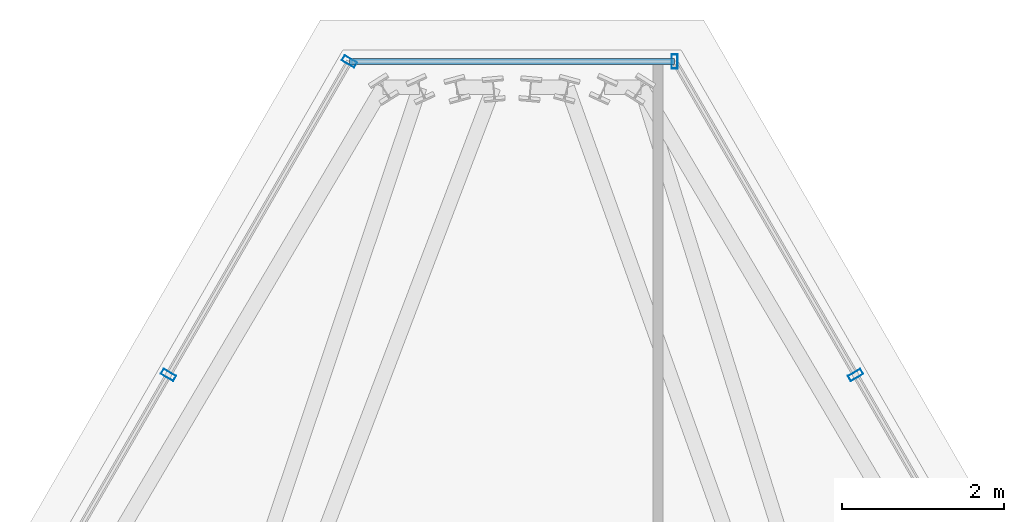
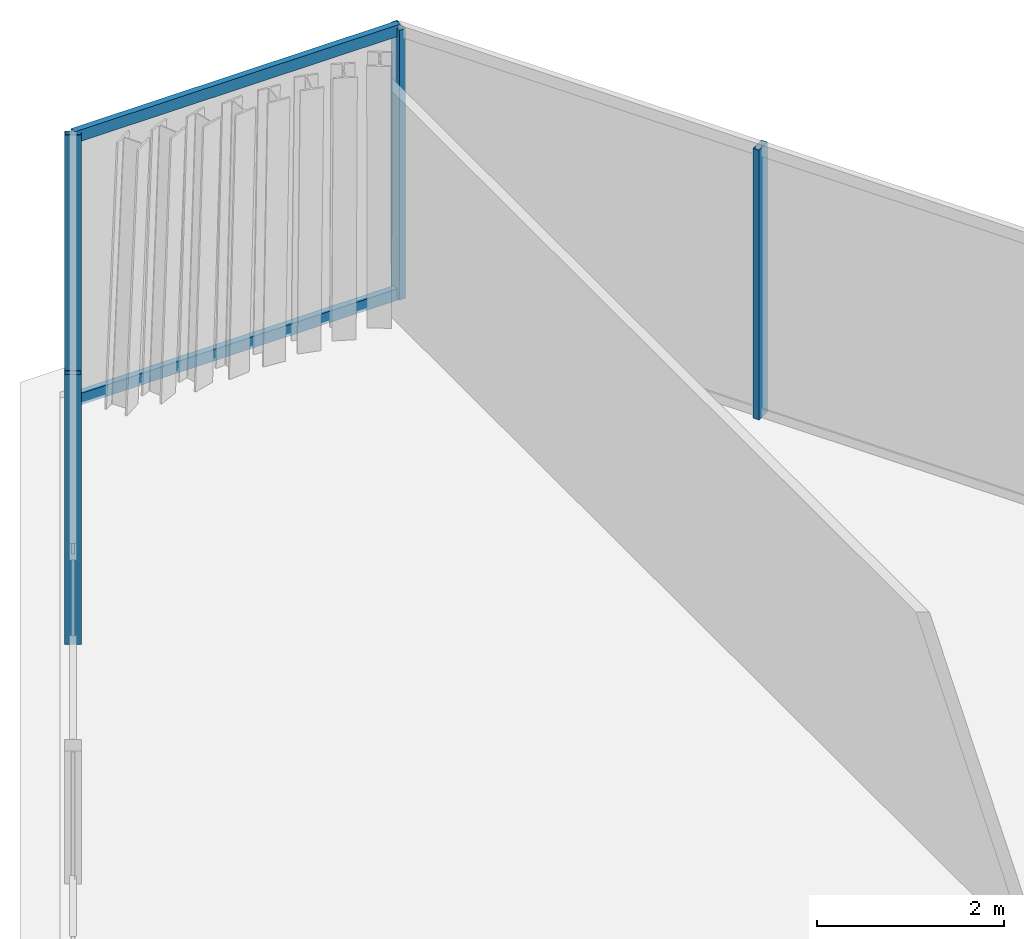
# One storey, part 25 of 32: 6 members, 3 elements without a shape of their own.
"""IFC4 building model written with IfcOpenShell, lengths in metres."""

import ifcopenshell
import ifcopenshell.guid

model = None  # the IFC model being written
_history = None  # IfcOwnerHistory: only IFC2X3 demands one
_inside = {}  # id of a spatial element -> (the spatial element, [elements in it])
_under = {}  # id of a project, library or spatial element -> (it, [spatial elements below it])
_declared = {}  # id of a project -> (the project, [libraries it declares])
_typed = {}  # id of a type object -> (the type object, [elements of that type])
_made_of = {}  # id of a material, layer set ... -> (it, [elements and type objects made of it])


def new_model(schema):
    """Start an empty IFC model of exactly this schema.

    Asked for "IFC4X3", IfcOpenShell would pick the latest addendum, in which some entities
    have other attributes; the version numbers below select the first issue.
    IFC2X3 requires an IfcOwnerHistory on every rooted entity: one is made here for all.
    """
    global model, _history
    if schema == "IFC4X3":
        model = ifcopenshell.file(schema_version=(4, 3, 0, 0))
    else:
        model = ifcopenshell.file(schema=schema)
    _inside.clear()
    _under.clear()
    _declared.clear()
    _typed.clear()
    _made_of.clear()
    _history = None
    if model.schema == "IFC2X3":
        org = make("IfcOrganization", Name="unknown")
        user = make(
            "IfcPersonAndOrganization",
            ThePerson=make("IfcPerson", FamilyName="unknown"),
            TheOrganization=org,
        )
        app = make(
            "IfcApplication",
            ApplicationDeveloper=org,
            Version="unknown",
            ApplicationFullName="unknown",
            ApplicationIdentifier="unknown",
        )
        _history = make(
            "IfcOwnerHistory",
            OwningUser=user,
            OwningApplication=app,
            ChangeAction="ADDED",
            CreationDate=0,
        )
    return model


def make(cls, **values):
    """One entity of the class cls with the attributes given. An attribute that is None is left unset."""
    return model.create_entity(
        cls, **{name: value for name, value in values.items() if value is not None}
    )


def rooted(cls, **values):
    """An entity with a GlobalId (a new one), such as an element, a storey or a relation."""
    return make(cls, GlobalId=ifcopenshell.guid.new(), OwnerHistory=_history, **values)


def si_unit(unit_type, name, prefix=None):
    """IfcSIUnit, for example si_unit("LENGTHUNIT", "METRE", prefix="MILLI")."""
    return make("IfcSIUnit", UnitType=unit_type, Prefix=prefix, Name=name)


def assignment(units):
    """IfcUnitAssignment: the units of a project."""
    return None if units is None else make("IfcUnitAssignment", Units=units)


def point(xyz):
    """IfcCartesianPoint."""
    return None if xyz is None else make("IfcCartesianPoint", Coordinates=xyz)


def direction(xyz):
    """IfcDirection."""
    return None if xyz is None else make("IfcDirection", DirectionRatios=xyz)


def frame(location, z_axis=None, x_axis=None):
    """IfcAxis2Placement3D, a coordinate frame: its origin and axes. An axis left out is left unset."""
    return make(
        "IfcAxis2Placement3D",
        Location=point(location),
        Axis=direction(z_axis),
        RefDirection=direction(x_axis),
    )


def frame_2d(location, x_axis=None):
    """IfcAxis2Placement2D, a coordinate frame in the plane: its origin and x axis."""
    return make(
        "IfcAxis2Placement2D", Location=point(location), RefDirection=direction(x_axis)
    )


def origin():
    """The frame at (0, 0, 0) with its axes left unset."""
    return frame((0.0, 0.0, 0.0))


def origin_2d():
    """The frame at (0, 0) in the plane with its x axis left unset."""
    return frame_2d((0.0, 0.0))


def place(relative_to, where):
    """IfcLocalPlacement: puts the frame where relative to a parent placement (None: the world)."""
    return make(
        "IfcLocalPlacement", PlacementRelTo=relative_to, RelativePlacement=where
    )


def context(
    kind, dimensions, precision=None, world=None, true_north=None, identifier=None
):
    """IfcGeometricRepresentationContext, for example the 3D "Model" context."""
    return make(
        "IfcGeometricRepresentationContext",
        ContextIdentifier=identifier,
        ContextType=kind,
        CoordinateSpaceDimension=dimensions,
        Precision=precision,
        WorldCoordinateSystem=world,
        TrueNorth=true_north,
    )


def subcontext(parent, identifier, kind, view, scale=None):
    """IfcGeometricRepresentationSubContext, for example "Body" below "Model"."""
    return make(
        "IfcGeometricRepresentationSubContext",
        ContextIdentifier=identifier,
        ContextType=kind,
        ParentContext=parent,
        TargetScale=scale,
        TargetView=view,
    )


def project(units=None, contexts=None):
    """IfcProject with its units and contexts."""
    return rooted(
        "IfcProject",
        Name="project",
        RepresentationContexts=contexts,
        UnitsInContext=assignment(units),
    )


def spatial(cls, under=None, at=None, **own):
    """A site, building, storey or space (cls), placed at a placement, below another one or the project."""
    s = rooted(cls, ObjectPlacement=at, **own)
    if under is not None:
        _under.setdefault(under.id(), (under, []))[1].append(s)
    return s


def profile(cls, at=None, kind="AREA", **sizes):
    """A parametric profile (cls). Its sizes go by their IFC names, for example OverallWidth=200.0."""
    return make(cls, ProfileType=kind, Position=at, **sizes)


def hollow_rectangle(**sizes):
    """IfcRectangleHollowProfileDef."""
    return profile("IfcRectangleHollowProfileDef", **sizes)


def extrude(swept, where, along, depth):
    """IfcExtrudedAreaSolid: the profile swept, set in the frame where, extruded along a direction by depth."""
    return make(
        "IfcExtrudedAreaSolid",
        SweptArea=swept,
        Position=where,
        ExtrudedDirection=direction(along),
        Depth=depth,
    )


def shape(context_of_items, identifier, shape_type, items):
    """IfcShapeRepresentation: the items that make up one representation, for example the "Body"."""
    return make(
        "IfcShapeRepresentation",
        ContextOfItems=context_of_items,
        RepresentationIdentifier=identifier,
        RepresentationType=shape_type,
        Items=items,
    )


def material(Name=None, Category=None):
    """IfcMaterial."""
    return make("IfcMaterial", Name=Name, Category=Category)


def layer(
    of_material, thickness, ventilated=None, Name=None, Category=None, Priority=None
):
    """IfcMaterialLayer: one layer of a wall or slab, of a material (None: an air gap)."""
    return make(
        "IfcMaterialLayer",
        Material=of_material,
        LayerThickness=thickness,
        IsVentilated=ventilated,
        Name=Name,
        Category=Category,
        Priority=Priority,
    )


def layer_set(layers, Name=None):
    """IfcMaterialLayerSet."""
    return make("IfcMaterialLayerSet", MaterialLayers=layers, LayerSetName=Name)


def material_profile(
    of_material, cross_section, Name=None, Category=None, Priority=None
):
    """IfcMaterialProfile: a cross section and its material."""
    return make(
        "IfcMaterialProfile",
        Name=Name,
        Material=of_material,
        Profile=cross_section,
        Priority=Priority,
        Category=Category,
    )


def profile_set(profiles, Name=None, composite=None):
    """IfcMaterialProfileSet."""
    return make(
        "IfcMaterialProfileSet",
        Name=Name,
        MaterialProfiles=profiles,
        CompositeProfile=composite,
    )


def made_of(thing, what):
    """Note that an element or type object is made of a material, layer set ...; save() writes the relation."""
    if what is not None:
        _made_of.setdefault(what.id(), (what, []))[1].append(thing)
    return thing


def type_object(cls, material=None, **own):
    """A type object (cls), such as IfcWallType, which elements share."""
    return made_of(rooted(cls, **own), material)


def element(
    cls,
    number,
    at=None,
    inside=None,
    cuts=None,
    type_object=None,
    material=None,
    context=None,
    identifier="Body",
    shape_type=None,
    held_by="IfcProductDefinitionShape",
    body=None,
    shapes=None,
    **own,
):
    """One element of the class cls, such as IfcWall. Its Tag is "e" and its number.

    at: its placement. inside: the storey or other place that contains it. cuts: it is an
    opening in that element (IfcRelVoidsElement). A single representation is given by context,
    identifier, shape_type and body (its items); several are given by shapes. held_by: the class
    of the entity that holds the representations. save() writes the other relations.
    """
    e = rooted(cls, Tag="e%d" % number, ObjectPlacement=at, **own)
    if body is not None:
        shapes = [shape(context, identifier, shape_type, body)]
    if shapes is not None:
        e.Representation = make(held_by, Representations=shapes)
    if inside is not None:
        _inside.setdefault(inside.id(), (inside, []))[1].append(e)
    if cuts is not None:
        rooted(
            "IfcRelVoidsElement", RelatingBuildingElement=cuts, RelatedOpeningElement=e
        )
    if type_object is not None:
        _typed.setdefault(type_object.id(), (type_object, []))[1].append(e)
    return made_of(e, material)


def aggregate(whole, parts):
    """IfcRelAggregates: a whole, such as a stair, and the parts it consists of."""
    return rooted("IfcRelAggregates", RelatingObject=whole, RelatedObjects=parts)


def save(model, path):
    """Write the relations noted so far, then the file.

    IfcRelAggregates (storeys below a building ...), IfcRelContainedInSpatialStructure (elements
    in a storey), IfcRelDefinesByType, IfcRelAssociatesMaterial and IfcRelDeclares: one each for
    every whole, place, type object, material and project.
    """
    for whole, parts in _under.values():
        aggregate(whole, parts)
    for where, things in _inside.values():
        rooted(
            "IfcRelContainedInSpatialStructure",
            RelatedElements=things,
            RelatingStructure=where,
        )
    for kind, things in _typed.values():
        rooted("IfcRelDefinesByType", RelatedObjects=things, RelatingType=kind)
    for what, things in _made_of.values():
        rooted("IfcRelAssociatesMaterial", RelatedObjects=things, RelatingMaterial=what)
    for by, libraries in _declared.values():
        rooted("IfcRelDeclares", RelatingContext=by, RelatedDefinitions=libraries)
    model.write(path)


model = new_model("IFC4")

# Units and contexts
model_context = context("Model", 3, precision=1e-05, world=origin(), true_north=direction((0.0, 1.0)))
body_context = subcontext(model_context, "Body", "Model", "MODEL_VIEW")
ifc_project = project(units=[si_unit("LENGTHUNIT", "METRE"), si_unit("AREAUNIT", "SQUARE_METRE"), si_unit("VOLUMEUNIT", "CUBIC_METRE"), si_unit("PLANEANGLEUNIT", "RADIAN"), si_unit("MASSUNIT", "GRAM", prefix="KILO")], contexts=[model_context])

# Site, building, storey
site_placement = place(None, origin())
site = spatial("IfcSite", under=ifc_project, at=site_placement, CompositionType="ELEMENT")
building_placement = place(site_placement, origin())
building = spatial("IfcBuilding", under=site, at=building_placement, Name="Ndaravel Arena Tower", CompositionType="ELEMENT")
storey_placement = place(building_placement, frame((0.0, 0.0, 294.699951171875)))
storey = spatial("IfcBuildingStorey", under=building, at=storey_placement, Name="L72", CompositionType="ELEMENT", Elevation=294.699951171875)

# Curtain wall, member
ifc_material_1 = material(Name="Aluminium", Category="aluminium")
ifc_layer_1 = layer(ifc_material_1, 0.179931640625)
ifc_layer_set_1 = layer_set([ifc_layer_1], Name="Aluminium")
curtain_wall_type_1 = type_object("IfcCurtainWallType", Name="CW-SYS-03", PredefinedType="NOTDEFINED", material=ifc_layer_set_1)
curtain_wall_1_placement = place(storey_placement, origin())
curtain_wall_1 = element("IfcCurtainWall", 1, at=curtain_wall_1_placement, inside=storey, type_object=curtain_wall_type_1, Name="L72 Faceted Crystal Curtain Wall CW-L72-E03", PredefinedType="NOTDEFINED")
ifc_material_2 = material(Name="Aluminium", Category="aluminium")
ifc_material_profile_1 = material_profile(ifc_material_2, hollow_rectangle(XDim=0.074951171875, YDim=0.179931640625, WallThickness=0.00390625, at=origin_2d()), Name="CW MULLION 75x180x4")
ifc_profile_set_1 = profile_set([ifc_material_profile_1], Name="Aluminium")
member_type_1 = type_object("IfcMemberType", Name="MEM-CW-MUL180", PredefinedType="MULLION", material=ifc_profile_set_1)
member_1_placement = place(storey_placement, frame((46.23974609375, 39.577880859375, 0.0), z_axis=(0.0, 0.0, 1.0), x_axis=(-0.5, 0.866025403784, 0.0)))
member_1 = element("IfcMember", 2, at=member_1_placement, type_object=member_type_1, Name="CW-L72-E03 Mullion 08", PredefinedType="MULLION", context=body_context, shape_type="SweptSolid", body=[
    extrude(hollow_rectangle(XDim=0.074951171875, YDim=0.179931640625, WallThickness=0.00390625, at=origin_2d()), origin(), (0.0, 0.0, 1.0), 3.52001953125),
])
aggregate(curtain_wall_1, [member_1])

ifc_material_3 = material(Name="Aluminium", Category="aluminium")
ifc_layer_2 = layer(ifc_material_3, 0.179931640625)
ifc_layer_set_2 = layer_set([ifc_layer_2], Name="Aluminium")
curtain_wall_type_2 = type_object("IfcCurtainWallType", Name="CW-SYS-01", PredefinedType="NOTDEFINED", material=ifc_layer_set_2)
curtain_wall_2_placement = place(storey_placement, origin())
curtain_wall_2 = element("IfcCurtainWall", 3, at=curtain_wall_2_placement, inside=storey, type_object=curtain_wall_type_2, Name="L72 Faceted Crystal Curtain Wall CW-L72-E04", PredefinedType="NOTDEFINED")
member_2_placement = place(storey_placement, frame((44.0068359375, 43.445556640625, 0.0), z_axis=(0.0, 0.0, 1.0), x_axis=(-1.0, 0.0, 0.0)))
member_2 = element("IfcMember", 4, at=member_2_placement, type_object=member_type_1, Name="CW-L72-E04 Mullion 00", PredefinedType="MULLION", context=body_context, shape_type="SweptSolid", body=[
    extrude(hollow_rectangle(XDim=0.074951171875, YDim=0.179931640625, WallThickness=0.00390625, at=origin_2d()), origin(), (0.0, 0.0, 1.0), 3.52001953125),
])

# Curtain wall, members
curtain_wall_3_placement = place(storey_placement, origin())
curtain_wall_3 = element("IfcCurtainWall", 5, at=curtain_wall_3_placement, inside=storey, type_object=curtain_wall_type_1, Name="L72 Faceted Crystal Curtain Wall CW-L72-E05", PredefinedType="NOTDEFINED")
member_3_placement = place(storey_placement, frame((39.9931640625, 43.445556640625, 0.0), z_axis=(0.0, 0.0, 1.0), x_axis=(-0.5, -0.866025403784, 0.0)))
member_3 = element("IfcMember", 6, at=member_3_placement, type_object=member_type_1, Name="CW-L72-E05 Mullion 00", PredefinedType="MULLION", context=body_context, shape_type="SweptSolid", body=[
    extrude(hollow_rectangle(XDim=0.074951171875, YDim=0.179931640625, WallThickness=0.00390625, at=origin_2d()), origin(), (0.0, 0.0, 1.0), 3.52001953125),
])
member_4_placement = place(storey_placement, frame((37.76025390625, 39.577880859375, 0.0), z_axis=(0.0, 0.0, 1.0), x_axis=(-0.5, -0.866025403784, 0.0)))
member_4 = element("IfcMember", 7, at=member_4_placement, type_object=member_type_1, Name="CW-L72-E05 Mullion 01", PredefinedType="MULLION", context=body_context, shape_type="SweptSolid", body=[
    extrude(hollow_rectangle(XDim=0.074951171875, YDim=0.179931640625, WallThickness=0.00390625, at=origin_2d()), origin(), (0.0, 0.0, 1.0), 3.52001953125),
])
aggregate(curtain_wall_3, [member_3, member_4])

# Member
ifc_material_4 = material(Name="Aluminium", Category="aluminium")
ifc_material_profile_2 = material_profile(ifc_material_4, hollow_rectangle(XDim=0.074951171875, YDim=0.14990234375, WallThickness=0.00390625, at=origin_2d()), Name="CW TRANSOM 75x150x4")
ifc_profile_set_2 = profile_set([ifc_material_profile_2], Name="Aluminium")
member_type_2 = type_object("IfcMemberType", Name="MEM-CW-TRN150", PredefinedType="USERDEFINED", material=ifc_profile_set_2)
member_5_placement = place(storey_placement, frame((44.0068359375, 43.445556640625, 0.0400390625), z_axis=(-1.0, 0.0, 0.0), x_axis=(0.0, -1.0, 0.0)))
member_5 = element("IfcMember", 8, at=member_5_placement, type_object=member_type_2, Name="CW-L72-E04 Transom 01", ObjectType="TRANSOM", PredefinedType="USERDEFINED", context=body_context, shape_type="SweptSolid", body=[
    extrude(hollow_rectangle(XDim=0.074951171875, YDim=0.14990234375, WallThickness=0.00390625, at=origin_2d()), origin(), (0.0, 0.0, 1.0), 4.013671875),
])

member_6_placement = place(storey_placement, frame((44.0068359375, 43.445556640625, 3.47998046875), z_axis=(-1.0, 0.0, 0.0), x_axis=(0.0, -1.0, 0.0)))
member_6 = element("IfcMember", 9, at=member_6_placement, type_object=member_type_2, Name="CW-L72-E04 Transom 02", ObjectType="TRANSOM", PredefinedType="USERDEFINED", context=body_context, shape_type="SweptSolid", body=[
    extrude(hollow_rectangle(XDim=0.074951171875, YDim=0.14990234375, WallThickness=0.00390625, at=origin_2d()), origin(), (0.0, 0.0, 1.0), 4.013671875),
])

aggregate(curtain_wall_2, [member_2, member_5, member_6])

save(model, "model.ifc")
